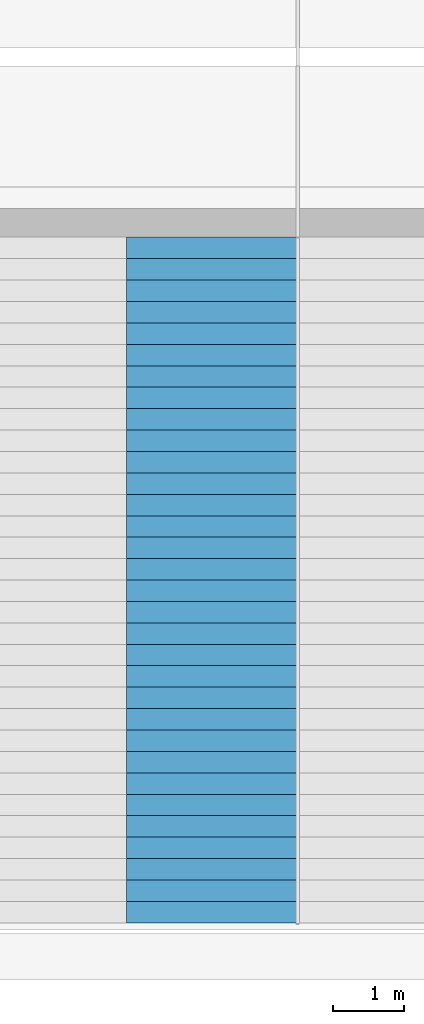
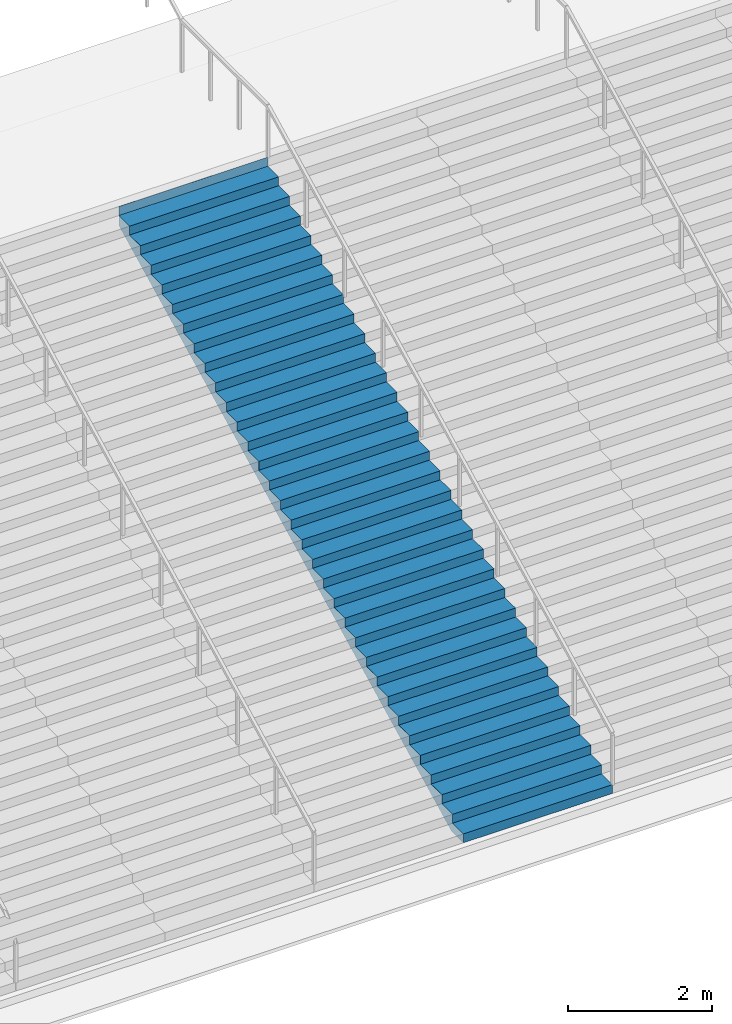
# One storey, part 34 of 57: 1 stair flight, 1 element without a shape of its own.
"""IFC4 building model written with IfcOpenShell, lengths in metres."""

import ifcopenshell
import ifcopenshell.guid

model = None  # the IFC model being written
_history = None  # IfcOwnerHistory: only IFC2X3 demands one
_inside = {}  # id of a spatial element -> (the spatial element, [elements in it])
_under = {}  # id of a project, library or spatial element -> (it, [spatial elements below it])
_declared = {}  # id of a project -> (the project, [libraries it declares])
_typed = {}  # id of a type object -> (the type object, [elements of that type])
_made_of = {}  # id of a material, layer set ... -> (it, [elements and type objects made of it])


def new_model(schema):
    """Start an empty IFC model of exactly this schema.

    Asked for "IFC4X3", IfcOpenShell would pick the latest addendum, in which some entities
    have other attributes; the version numbers below select the first issue.
    IFC2X3 requires an IfcOwnerHistory on every rooted entity: one is made here for all.
    """
    global model, _history
    if schema == "IFC4X3":
        model = ifcopenshell.file(schema_version=(4, 3, 0, 0))
    else:
        model = ifcopenshell.file(schema=schema)
    _inside.clear()
    _under.clear()
    _declared.clear()
    _typed.clear()
    _made_of.clear()
    _history = None
    if model.schema == "IFC2X3":
        org = make("IfcOrganization", Name="unknown")
        user = make(
            "IfcPersonAndOrganization",
            ThePerson=make("IfcPerson", FamilyName="unknown"),
            TheOrganization=org,
        )
        app = make(
            "IfcApplication",
            ApplicationDeveloper=org,
            Version="unknown",
            ApplicationFullName="unknown",
            ApplicationIdentifier="unknown",
        )
        _history = make(
            "IfcOwnerHistory",
            OwningUser=user,
            OwningApplication=app,
            ChangeAction="ADDED",
            CreationDate=0,
        )
    return model


def make(cls, **values):
    """One entity of the class cls with the attributes given. An attribute that is None is left unset."""
    return model.create_entity(
        cls, **{name: value for name, value in values.items() if value is not None}
    )


def rooted(cls, **values):
    """An entity with a GlobalId (a new one), such as an element, a storey or a relation."""
    return make(cls, GlobalId=ifcopenshell.guid.new(), OwnerHistory=_history, **values)


def si_unit(unit_type, name, prefix=None):
    """IfcSIUnit, for example si_unit("LENGTHUNIT", "METRE", prefix="MILLI")."""
    return make("IfcSIUnit", UnitType=unit_type, Prefix=prefix, Name=name)


def assignment(units):
    """IfcUnitAssignment: the units of a project."""
    return None if units is None else make("IfcUnitAssignment", Units=units)


def point(xyz):
    """IfcCartesianPoint."""
    return None if xyz is None else make("IfcCartesianPoint", Coordinates=xyz)


def direction(xyz):
    """IfcDirection."""
    return None if xyz is None else make("IfcDirection", DirectionRatios=xyz)


def frame(location, z_axis=None, x_axis=None):
    """IfcAxis2Placement3D, a coordinate frame: its origin and axes. An axis left out is left unset."""
    return make(
        "IfcAxis2Placement3D",
        Location=point(location),
        Axis=direction(z_axis),
        RefDirection=direction(x_axis),
    )


def origin():
    """The frame at (0, 0, 0) with its axes left unset."""
    return frame((0.0, 0.0, 0.0))


def place(relative_to, where):
    """IfcLocalPlacement: puts the frame where relative to a parent placement (None: the world)."""
    return make(
        "IfcLocalPlacement", PlacementRelTo=relative_to, RelativePlacement=where
    )


def context(
    kind, dimensions, precision=None, world=None, true_north=None, identifier=None
):
    """IfcGeometricRepresentationContext, for example the 3D "Model" context."""
    return make(
        "IfcGeometricRepresentationContext",
        ContextIdentifier=identifier,
        ContextType=kind,
        CoordinateSpaceDimension=dimensions,
        Precision=precision,
        WorldCoordinateSystem=world,
        TrueNorth=true_north,
    )


def subcontext(parent, identifier, kind, view, scale=None):
    """IfcGeometricRepresentationSubContext, for example "Body" below "Model"."""
    return make(
        "IfcGeometricRepresentationSubContext",
        ContextIdentifier=identifier,
        ContextType=kind,
        ParentContext=parent,
        TargetScale=scale,
        TargetView=view,
    )


def project(units=None, contexts=None):
    """IfcProject with its units and contexts."""
    return rooted(
        "IfcProject",
        Name="project",
        RepresentationContexts=contexts,
        UnitsInContext=assignment(units),
    )


def spatial(cls, under=None, at=None, **own):
    """A site, building, storey or space (cls), placed at a placement, below another one or the project."""
    s = rooted(cls, ObjectPlacement=at, **own)
    if under is not None:
        _under.setdefault(under.id(), (under, []))[1].append(s)
    return s


def point_list(points):
    """IfcCartesianPointList2D or 3D."""
    cls = (
        "IfcCartesianPointList2D" if len(points[0]) == 2 else "IfcCartesianPointList3D"
    )
    return make(cls, CoordList=points)


def triangles(points, corners, closed=None, point_numbers=None):
    """IfcTriangulatedFaceSet: each triangle names its three corners, points numbered from 1."""
    return make(
        "IfcTriangulatedFaceSet",
        Coordinates=point_list(points),
        Closed=closed,
        CoordIndex=corners,
        PnIndex=point_numbers,
    )


def shape(context_of_items, identifier, shape_type, items):
    """IfcShapeRepresentation: the items that make up one representation, for example the "Body"."""
    return make(
        "IfcShapeRepresentation",
        ContextOfItems=context_of_items,
        RepresentationIdentifier=identifier,
        RepresentationType=shape_type,
        Items=items,
    )


def material(Name=None, Category=None):
    """IfcMaterial."""
    return make("IfcMaterial", Name=Name, Category=Category)


def made_of(thing, what):
    """Note that an element or type object is made of a material, layer set ...; save() writes the relation."""
    if what is not None:
        _made_of.setdefault(what.id(), (what, []))[1].append(thing)
    return thing


def type_object(cls, material=None, **own):
    """A type object (cls), such as IfcWallType, which elements share."""
    return made_of(rooted(cls, **own), material)


def element(
    cls,
    number,
    at=None,
    inside=None,
    cuts=None,
    type_object=None,
    material=None,
    context=None,
    identifier="Body",
    shape_type=None,
    held_by="IfcProductDefinitionShape",
    body=None,
    shapes=None,
    **own,
):
    """One element of the class cls, such as IfcWall. Its Tag is "e" and its number.

    at: its placement. inside: the storey or other place that contains it. cuts: it is an
    opening in that element (IfcRelVoidsElement). A single representation is given by context,
    identifier, shape_type and body (its items); several are given by shapes. held_by: the class
    of the entity that holds the representations. save() writes the other relations.
    """
    e = rooted(cls, Tag="e%d" % number, ObjectPlacement=at, **own)
    if body is not None:
        shapes = [shape(context, identifier, shape_type, body)]
    if shapes is not None:
        e.Representation = make(held_by, Representations=shapes)
    if inside is not None:
        _inside.setdefault(inside.id(), (inside, []))[1].append(e)
    if cuts is not None:
        rooted(
            "IfcRelVoidsElement", RelatingBuildingElement=cuts, RelatedOpeningElement=e
        )
    if type_object is not None:
        _typed.setdefault(type_object.id(), (type_object, []))[1].append(e)
    return made_of(e, material)


def aggregate(whole, parts):
    """IfcRelAggregates: a whole, such as a stair, and the parts it consists of."""
    return rooted("IfcRelAggregates", RelatingObject=whole, RelatedObjects=parts)


def save(model, path):
    """Write the relations noted so far, then the file.

    IfcRelAggregates (storeys below a building ...), IfcRelContainedInSpatialStructure (elements
    in a storey), IfcRelDefinesByType, IfcRelAssociatesMaterial and IfcRelDeclares: one each for
    every whole, place, type object, material and project.
    """
    for whole, parts in _under.values():
        aggregate(whole, parts)
    for where, things in _inside.values():
        rooted(
            "IfcRelContainedInSpatialStructure",
            RelatedElements=things,
            RelatingStructure=where,
        )
    for kind, things in _typed.values():
        rooted("IfcRelDefinesByType", RelatedObjects=things, RelatingType=kind)
    for what, things in _made_of.values():
        rooted("IfcRelAssociatesMaterial", RelatedObjects=things, RelatingMaterial=what)
    for by, libraries in _declared.values():
        rooted("IfcRelDeclares", RelatingContext=by, RelatedDefinitions=libraries)
    model.write(path)


model = new_model("IFC4")

# Units and contexts
model_context = context("Model", 3, precision=1e-05, world=origin(), true_north=direction((0.0, 1.0)))
body_context = subcontext(model_context, "Body", "Model", "MODEL_VIEW")
ifc_project = project(units=[si_unit("LENGTHUNIT", "METRE"), si_unit("AREAUNIT", "SQUARE_METRE"), si_unit("VOLUMEUNIT", "CUBIC_METRE"), si_unit("PLANEANGLEUNIT", "RADIAN"), si_unit("MASSUNIT", "GRAM", prefix="KILO")], contexts=[model_context])

# Site, building, storey
site_placement = place(None, origin())
site = spatial("IfcSite", under=ifc_project, at=site_placement, CompositionType="ELEMENT")
building_placement = place(site_placement, origin())
building = spatial("IfcBuilding", under=site, at=building_placement, Name="Beryl Residences", CompositionType="ELEMENT")
storey_placement = place(building_placement, origin())
storey = spatial("IfcBuildingStorey", under=building, at=storey_placement, Name="L00", CompositionType="ELEMENT", Elevation=0.0)

# Stair, stair flight
ifc_material_1 = material(Name="Precast concrete C40/50", Category="concrete")
stair_type = type_object("IfcStairType", Name="GS1 garden stair", PredefinedType="STRAIGHT_RUN_STAIR", material=ifc_material_1)
stair_placement = place(storey_placement, origin())
stair = element("IfcStair", 1, at=stair_placement, inside=storey, type_object=stair_type, Name="GS1 garden stair", PredefinedType="STRAIGHT_RUN_STAIR")
ifc_material_2 = material(Name="Precast concrete C40/50", Category="concrete")
stair_flight_type = type_object("IfcStairFlightType", Name="GF1 garden stair flight", PredefinedType="STRAIGHT", material=ifc_material_2)
stair_flight_placement = place(storey_placement, frame((-1.199951171875, -54.199951171875, 0.0), z_axis=(0.0, 0.0, 1.0), x_axis=(0.0, 1.0, 0.0)))
stair_flight = element("IfcStairFlight", 2, at=stair_flight_placement, type_object=stair_flight_type, Name="GS1 flight 5", NumberOfRisers=33, NumberOfTreads=32, PredefinedType="STRAIGHT", RiserHeight=0.151515152, TreadLength=0.3, context=body_context, shape_type="Tessellation", body=[
    triangles([(0.0, -1.199951171875, 0.0), (0.0, -0.60009765625, 0.0), (0.0, 0.0, 0.0), (0.0, 0.60009765625, 0.0), (0.0, 1.199951171875, 0.0), (0.0, -1.199951171875, 0.151611328125), (0.0, -0.60009765625, 0.151611328125), (0.0, 0.0, 0.151611328125), (0.0, 0.60009765625, 0.151611328125), (0.0, 1.199951171875, 0.151611328125), (0.300048828125, -1.199951171875, 0.151611328125), (0.300048828125, -0.60009765625, 0.151611328125), (0.300048828125, 0.0, 0.151611328125), (0.300048828125, 0.60009765625, 0.151611328125), (0.300048828125, 1.199951171875, 0.151611328125), (0.300048828125, -1.199951171875, 0.302978515625), (0.300048828125, -0.60009765625, 0.302978515625), (0.300048828125, 0.0, 0.302978515625), (0.300048828125, 0.60009765625, 0.302978515625), (0.300048828125, 1.199951171875, 0.302978515625), (0.60009765625, -1.199951171875, 0.302978515625), (0.60009765625, -0.60009765625, 0.302978515625), (0.60009765625, 0.0, 0.302978515625), (0.60009765625, 0.60009765625, 0.302978515625), (0.60009765625, 1.199951171875, 0.302978515625), (0.60009765625, -1.199951171875, 0.45458984375), (0.60009765625, -0.60009765625, 0.45458984375), (0.60009765625, 0.0, 0.45458984375), (0.60009765625, 0.60009765625, 0.45458984375), (0.60009765625, 1.199951171875, 0.45458984375), (0.89990234375, -1.199951171875, 0.45458984375), (0.89990234375, -0.60009765625, 0.45458984375), (0.89990234375, 0.0, 0.45458984375), (0.89990234375, 0.60009765625, 0.45458984375), (0.89990234375, 1.199951171875, 0.45458984375), (0.89990234375, -1.199951171875, 0.60595703125), (0.89990234375, -0.60009765625, 0.60595703125), (0.89990234375, 0.0, 0.60595703125), (0.89990234375, 0.60009765625, 0.60595703125), (0.89990234375, 1.199951171875, 0.60595703125), (1.199951171875, -1.199951171875, 0.60595703125), (1.199951171875, -0.60009765625, 0.60595703125), (1.199951171875, 0.0, 0.60595703125), (1.199951171875, 0.60009765625, 0.60595703125), (1.199951171875, 1.199951171875, 0.60595703125), (1.199951171875, -1.199951171875, 0.757568359375), (1.199951171875, -0.60009765625, 0.757568359375), (1.199951171875, 0.0, 0.757568359375), (1.199951171875, 0.60009765625, 0.757568359375), (1.199951171875, 1.199951171875, 0.757568359375), (1.5, -1.199951171875, 0.757568359375), (1.5, -0.60009765625, 0.757568359375), (1.5, 0.0, 0.757568359375), (1.5, 0.60009765625, 0.757568359375), (1.5, 1.199951171875, 0.757568359375), (1.5, -1.199951171875, 0.9091796875), (1.5, -0.60009765625, 0.9091796875), (1.5, 0.0, 0.9091796875), (1.5, 0.60009765625, 0.9091796875), (1.5, 1.199951171875, 0.9091796875), (1.800048828125, -1.199951171875, 0.9091796875), (1.800048828125, -0.60009765625, 0.9091796875), (1.800048828125, 0.0, 0.9091796875), (1.800048828125, 0.60009765625, 0.9091796875), (1.800048828125, 1.199951171875, 0.9091796875), (1.800048828125, -1.199951171875, 1.060546875), (1.800048828125, -0.60009765625, 1.060546875), (1.800048828125, 0.0, 1.060546875), (1.800048828125, 0.60009765625, 1.060546875), (1.800048828125, 1.199951171875, 1.060546875), (2.10009765625, -1.199951171875, 1.060546875), (2.10009765625, -0.60009765625, 1.060546875), (2.10009765625, 0.0, 1.060546875), (2.10009765625, 0.60009765625, 1.060546875), (2.10009765625, 1.199951171875, 1.060546875), (2.10009765625, -1.199951171875, 1.212158203125), (2.10009765625, -0.60009765625, 1.212158203125), (2.10009765625, 0.0, 1.212158203125), (2.10009765625, 0.60009765625, 1.212158203125), (2.10009765625, 1.199951171875, 1.212158203125), (2.39990234375, -1.199951171875, 1.212158203125), (2.39990234375, -0.60009765625, 1.212158203125), (2.39990234375, 0.0, 1.212158203125), (2.39990234375, 0.60009765625, 1.212158203125), (2.39990234375, 1.199951171875, 1.212158203125), (2.39990234375, -1.199951171875, 1.363525390625), (2.39990234375, -0.60009765625, 1.363525390625), (2.39990234375, 0.0, 1.363525390625), (2.39990234375, 0.60009765625, 1.363525390625), (2.39990234375, 1.199951171875, 1.363525390625), (2.699951171875, -1.199951171875, 1.363525390625), (2.699951171875, -0.60009765625, 1.363525390625), (2.699951171875, 0.0, 1.363525390625), (2.699951171875, 0.60009765625, 1.363525390625), (2.699951171875, 1.199951171875, 1.363525390625), (2.699951171875, -1.199951171875, 1.51513671875), (2.699951171875, -0.60009765625, 1.51513671875), (2.699951171875, 0.0, 1.51513671875), (2.699951171875, 0.60009765625, 1.51513671875), (2.699951171875, 1.199951171875, 1.51513671875), (3.0, -1.199951171875, 1.51513671875), (3.0, -0.60009765625, 1.51513671875), (3.0, 0.0, 1.51513671875), (3.0, 0.60009765625, 1.51513671875), (3.0, 1.199951171875, 1.51513671875), (3.0, -1.199951171875, 1.666748046875), (3.0, -0.60009765625, 1.666748046875), (3.0, 0.0, 1.666748046875), (3.0, 0.60009765625, 1.666748046875), (3.0, 1.199951171875, 1.666748046875), (3.300048828125, -1.199951171875, 1.666748046875), (3.300048828125, -0.60009765625, 1.666748046875), (3.300048828125, 0.0, 1.666748046875), (3.300048828125, 0.60009765625, 1.666748046875), (3.300048828125, 1.199951171875, 1.666748046875), (3.300048828125, -1.199951171875, 1.818115234375), (3.300048828125, -0.60009765625, 1.818115234375), (3.300048828125, 0.0, 1.818115234375), (3.300048828125, 0.60009765625, 1.818115234375), (3.300048828125, 1.199951171875, 1.818115234375), (3.60009765625, -1.199951171875, 1.818115234375), (3.60009765625, -0.60009765625, 1.818115234375), (3.60009765625, 0.0, 1.818115234375), (3.60009765625, 0.60009765625, 1.818115234375), (3.60009765625, 1.199951171875, 1.818115234375), (3.60009765625, -1.199951171875, 1.9697265625), (3.60009765625, -0.60009765625, 1.9697265625), (3.60009765625, 0.0, 1.9697265625), (3.60009765625, 0.60009765625, 1.9697265625), (3.60009765625, 1.199951171875, 1.9697265625), (3.89990234375, -1.199951171875, 1.9697265625), (3.89990234375, -0.60009765625, 1.9697265625), (3.89990234375, 0.0, 1.9697265625), (3.89990234375, 0.60009765625, 1.9697265625), (3.89990234375, 1.199951171875, 1.9697265625), (3.89990234375, -1.199951171875, 2.12109375), (3.89990234375, -0.60009765625, 2.12109375), (3.89990234375, 0.0, 2.12109375), (3.89990234375, 0.60009765625, 2.12109375), (3.89990234375, 1.199951171875, 2.12109375), (4.199951171875, -1.199951171875, 2.12109375), (4.199951171875, -0.60009765625, 2.12109375), (4.199951171875, 0.0, 2.12109375), (4.199951171875, 0.60009765625, 2.12109375), (4.199951171875, 1.199951171875, 2.12109375), (4.199951171875, -1.199951171875, 2.272705078125), (4.199951171875, -0.60009765625, 2.272705078125), (4.199951171875, 0.0, 2.272705078125), (4.199951171875, 0.60009765625, 2.272705078125), (4.199951171875, 1.199951171875, 2.272705078125), (4.5, -1.199951171875, 2.272705078125), (4.5, -0.60009765625, 2.272705078125), (4.5, 0.0, 2.272705078125), (4.5, 0.60009765625, 2.272705078125), (4.5, 1.199951171875, 2.272705078125), (4.5, -1.199951171875, 2.42431640625), (4.5, -0.60009765625, 2.42431640625), (4.5, 0.0, 2.42431640625), (4.5, 0.60009765625, 2.42431640625), (4.5, 1.199951171875, 2.42431640625), (4.800048828125, -1.199951171875, 2.42431640625), (4.800048828125, -0.60009765625, 2.42431640625), (4.800048828125, 0.0, 2.42431640625), (4.800048828125, 0.60009765625, 2.42431640625), (4.800048828125, 1.199951171875, 2.42431640625), (4.800048828125, -1.199951171875, 2.57568359375), (4.800048828125, -0.60009765625, 2.57568359375), (4.800048828125, 0.0, 2.57568359375), (4.800048828125, 0.60009765625, 2.57568359375), (4.800048828125, 1.199951171875, 2.57568359375), (5.10009765625, -1.199951171875, 2.57568359375), (5.10009765625, -0.60009765625, 2.57568359375), (5.10009765625, 0.0, 2.57568359375), (5.10009765625, 0.60009765625, 2.57568359375), (5.10009765625, 1.199951171875, 2.57568359375), (5.10009765625, -1.199951171875, 2.727294921875), (5.10009765625, -0.60009765625, 2.727294921875), (5.10009765625, 0.0, 2.727294921875), (5.10009765625, 0.60009765625, 2.727294921875), (5.10009765625, 1.199951171875, 2.727294921875), (5.39990234375, -1.199951171875, 2.727294921875), (5.39990234375, -0.60009765625, 2.727294921875), (5.39990234375, 0.0, 2.727294921875), (5.39990234375, 0.60009765625, 2.727294921875), (5.39990234375, 1.199951171875, 2.727294921875), (5.39990234375, -1.199951171875, 2.87890625), (5.39990234375, -0.60009765625, 2.87890625), (5.39990234375, 0.0, 2.87890625), (5.39990234375, 0.60009765625, 2.87890625), (5.39990234375, 1.199951171875, 2.87890625), (5.699951171875, -1.199951171875, 2.87890625), (5.699951171875, -0.60009765625, 2.87890625), (5.699951171875, 0.0, 2.87890625), (5.699951171875, 0.60009765625, 2.87890625), (5.699951171875, 1.199951171875, 2.87890625), (5.699951171875, -1.199951171875, 3.0302734375), (5.699951171875, -0.60009765625, 3.0302734375), (5.699951171875, 0.0, 3.0302734375), (5.699951171875, 0.60009765625, 3.0302734375), (5.699951171875, 1.199951171875, 3.0302734375), (6.0, -1.199951171875, 3.0302734375), (6.0, -0.60009765625, 3.0302734375), (6.0, 0.0, 3.0302734375), (6.0, 0.60009765625, 3.0302734375), (6.0, 1.199951171875, 3.0302734375), (6.0, -1.199951171875, 3.181884765625), (6.0, -0.60009765625, 3.181884765625), (6.0, 0.0, 3.181884765625), (6.0, 0.60009765625, 3.181884765625), (6.0, 1.199951171875, 3.181884765625), (6.300048828125, -1.199951171875, 3.181884765625), (6.300048828125, -0.60009765625, 3.181884765625), (6.300048828125, 0.0, 3.181884765625), (6.300048828125, 0.60009765625, 3.181884765625), (6.300048828125, 1.199951171875, 3.181884765625), (6.300048828125, -1.199951171875, 3.333251953125), (6.300048828125, -0.60009765625, 3.333251953125), (6.300048828125, 0.0, 3.333251953125), (6.300048828125, 0.60009765625, 3.333251953125), (6.300048828125, 1.199951171875, 3.333251953125), (6.60009765625, -1.199951171875, 3.333251953125), (6.60009765625, -0.60009765625, 3.333251953125), (6.60009765625, 0.0, 3.333251953125), (6.60009765625, 0.60009765625, 3.333251953125), (6.60009765625, 1.199951171875, 3.333251953125), (6.60009765625, -1.199951171875, 3.48486328125), (6.60009765625, -0.60009765625, 3.48486328125), (6.60009765625, 0.0, 3.48486328125), (6.60009765625, 0.60009765625, 3.48486328125), (6.60009765625, 1.199951171875, 3.48486328125), (6.89990234375, -1.199951171875, 3.48486328125), (6.89990234375, -0.60009765625, 3.48486328125), (6.89990234375, 0.0, 3.48486328125), (6.89990234375, 0.60009765625, 3.48486328125), (6.89990234375, 1.199951171875, 3.48486328125), (6.89990234375, -1.199951171875, 3.636474609375), (6.89990234375, -0.60009765625, 3.636474609375), (6.89990234375, 0.0, 3.636474609375), (6.89990234375, 0.60009765625, 3.636474609375), (6.89990234375, 1.199951171875, 3.636474609375), (7.199951171875, -1.199951171875, 3.636474609375), (7.199951171875, -0.60009765625, 3.636474609375), (7.199951171875, 0.0, 3.636474609375), (7.199951171875, 0.60009765625, 3.636474609375), (7.199951171875, 1.199951171875, 3.636474609375), (7.199951171875, -1.199951171875, 3.787841796875), (7.199951171875, -0.60009765625, 3.787841796875), (7.199951171875, 0.0, 3.787841796875), (7.199951171875, 0.60009765625, 3.787841796875), (7.199951171875, 1.199951171875, 3.787841796875), (7.5, -1.199951171875, 3.787841796875), (7.5, -0.60009765625, 3.787841796875), (7.5, 0.0, 3.787841796875), (7.5, 0.60009765625, 3.787841796875), (7.5, 1.199951171875, 3.787841796875), (7.5, -1.199951171875, 3.939453125), (7.5, -0.60009765625, 3.939453125), (7.5, 0.0, 3.939453125), (7.5, 0.60009765625, 3.939453125), (7.5, 1.199951171875, 3.939453125), (7.800048828125, -1.199951171875, 3.939453125), (7.800048828125, -0.60009765625, 3.939453125), (7.800048828125, 0.0, 3.939453125), (7.800048828125, 0.60009765625, 3.939453125), (7.800048828125, 1.199951171875, 3.939453125), (7.800048828125, -1.199951171875, 4.0908203125), (7.800048828125, -0.60009765625, 4.0908203125), (7.800048828125, 0.0, 4.0908203125), (7.800048828125, 0.60009765625, 4.0908203125), (7.800048828125, 1.199951171875, 4.0908203125), (8.10009765625, -1.199951171875, 4.0908203125), (8.10009765625, -0.60009765625, 4.0908203125), (8.10009765625, 0.0, 4.0908203125), (8.10009765625, 0.60009765625, 4.0908203125), (8.10009765625, 1.199951171875, 4.0908203125), (8.10009765625, -1.199951171875, 4.242431640625), (8.10009765625, -0.60009765625, 4.242431640625), (8.10009765625, 0.0, 4.242431640625), (8.10009765625, 0.60009765625, 4.242431640625), (8.10009765625, 1.199951171875, 4.242431640625), (8.39990234375, -1.199951171875, 4.242431640625), (8.39990234375, -0.60009765625, 4.242431640625), (8.39990234375, 0.0, 4.242431640625), (8.39990234375, 0.60009765625, 4.242431640625), (8.39990234375, 1.199951171875, 4.242431640625), (8.39990234375, -1.199951171875, 4.39404296875), (8.39990234375, -0.60009765625, 4.39404296875), (8.39990234375, 0.0, 4.39404296875), (8.39990234375, 0.60009765625, 4.39404296875), (8.39990234375, 1.199951171875, 4.39404296875), (8.699951171875, -1.199951171875, 4.39404296875), (8.699951171875, -0.60009765625, 4.39404296875), (8.699951171875, 0.0, 4.39404296875), (8.699951171875, 0.60009765625, 4.39404296875), (8.699951171875, 1.199951171875, 4.39404296875), (8.699951171875, -1.199951171875, 4.54541015625), (8.699951171875, -0.60009765625, 4.54541015625), (8.699951171875, 0.0, 4.54541015625), (8.699951171875, 0.60009765625, 4.54541015625), (8.699951171875, 1.199951171875, 4.54541015625), (9.0, -1.199951171875, 4.54541015625), (9.0, -0.60009765625, 4.54541015625), (9.0, 0.0, 4.54541015625), (9.0, 0.60009765625, 4.54541015625), (9.0, 1.199951171875, 4.54541015625), (9.0, -1.199951171875, 4.697021484375), (9.0, -0.60009765625, 4.697021484375), (9.0, 0.0, 4.697021484375), (9.0, 0.60009765625, 4.697021484375), (9.0, 1.199951171875, 4.697021484375), (9.300048828125, -1.199951171875, 4.697021484375), (9.300048828125, -0.60009765625, 4.697021484375), (9.300048828125, 0.0, 4.697021484375), (9.300048828125, 0.60009765625, 4.697021484375), (9.300048828125, 1.199951171875, 4.697021484375), (9.300048828125, -1.199951171875, 4.848388671875), (9.300048828125, -0.60009765625, 4.848388671875), (9.300048828125, 0.0, 4.848388671875), (9.300048828125, 0.60009765625, 4.848388671875), (9.300048828125, 1.199951171875, 4.848388671875), (9.60009765625, -1.199951171875, 4.848388671875), (9.60009765625, -0.60009765625, 4.848388671875), (9.60009765625, 0.0, 4.848388671875), (9.60009765625, 0.60009765625, 4.848388671875), (9.60009765625, 1.199951171875, 4.848388671875), (9.60009765625, -1.199951171875, 5.0), (9.60009765625, -0.60009765625, 5.0), (9.60009765625, 0.0, 5.0), (9.60009765625, 0.60009765625, 5.0), (9.60009765625, 1.199951171875, 5.0), (9.60107421875, -1.199951171875, 5.0), (9.60107421875, -0.60009765625, 5.0), (9.60107421875, 0.0, 5.0), (9.60107421875, 0.60009765625, 5.0), (9.60107421875, 1.199951171875, 5.0), (9.60107421875, -1.199951171875, 4.6806640625), (9.60107421875, -0.60009765625, 4.6806640625), (9.60107421875, 0.0, 4.6806640625), (9.60107421875, 0.60009765625, 4.6806640625), (9.60107421875, 1.199951171875, 4.6806640625), (0.33349609375, -1.199951171875, 0.0), (0.33349609375, -0.60009765625, 0.0), (0.33349609375, 0.0, 0.0), (0.33349609375, 0.60009765625, 0.0), (0.33349609375, 1.199951171875, 0.0)], [[1, 6, 7], [1, 7, 2], [2, 7, 8], [2, 8, 3], [3, 8, 9], [3, 9, 4], [4, 9, 10], [4, 10, 5], [6, 11, 12], [6, 12, 7], [7, 12, 13], [7, 13, 8], [8, 13, 14], [8, 14, 9], [9, 14, 15], [9, 15, 10], [11, 16, 17], [11, 17, 12], [12, 17, 18], [12, 18, 13], [13, 18, 19], [13, 19, 14], [14, 19, 20], [14, 20, 15], [16, 21, 22], [16, 22, 17], [17, 22, 23], [17, 23, 18], [18, 23, 24], [18, 24, 19], [19, 24, 25], [19, 25, 20], [21, 26, 27], [21, 27, 22], [22, 27, 28], [22, 28, 23], [23, 28, 29], [23, 29, 24], [24, 29, 30], [24, 30, 25], [26, 31, 32], [26, 32, 27], [27, 32, 33], [27, 33, 28], [28, 33, 34], [28, 34, 29], [29, 34, 35], [29, 35, 30], [31, 36, 37], [31, 37, 32], [32, 37, 38], [32, 38, 33], [33, 38, 39], [33, 39, 34], [34, 39, 40], [34, 40, 35], [36, 41, 42], [36, 42, 37], [37, 42, 43], [37, 43, 38], [38, 43, 44], [38, 44, 39], [39, 44, 45], [39, 45, 40], [41, 46, 47], [41, 47, 42], [42, 47, 48], [42, 48, 43], [43, 48, 49], [43, 49, 44], [44, 49, 50], [44, 50, 45], [46, 51, 52], [46, 52, 47], [47, 52, 53], [47, 53, 48], [48, 53, 54], [48, 54, 49], [49, 54, 55], [49, 55, 50], [51, 56, 57], [51, 57, 52], [52, 57, 58], [52, 58, 53], [53, 58, 59], [53, 59, 54], [54, 59, 60], [54, 60, 55], [56, 61, 62], [56, 62, 57], [57, 62, 63], [57, 63, 58], [58, 63, 64], [58, 64, 59], [59, 64, 65], [59, 65, 60], [61, 66, 67], [61, 67, 62], [62, 67, 68], [62, 68, 63], [63, 68, 69], [63, 69, 64], [64, 69, 70], [64, 70, 65], [66, 71, 72], [66, 72, 67], [67, 72, 73], [67, 73, 68], [68, 73, 74], [68, 74, 69], [69, 74, 75], [69, 75, 70], [71, 76, 77], [71, 77, 72], [72, 77, 78], [72, 78, 73], [73, 78, 79], [73, 79, 74], [74, 79, 80], [74, 80, 75], [76, 81, 82], [76, 82, 77], [77, 82, 83], [77, 83, 78], [78, 83, 84], [78, 84, 79], [79, 84, 85], [79, 85, 80], [81, 86, 87], [81, 87, 82], [82, 87, 88], [82, 88, 83], [83, 88, 89], [83, 89, 84], [84, 89, 90], [84, 90, 85], [86, 91, 92], [86, 92, 87], [87, 92, 93], [87, 93, 88], [88, 93, 94], [88, 94, 89], [89, 94, 95], [89, 95, 90], [91, 96, 97], [91, 97, 92], [92, 97, 98], [92, 98, 93], [93, 98, 99], [93, 99, 94], [94, 99, 100], [94, 100, 95], [96, 101, 102], [96, 102, 97], [97, 102, 103], [97, 103, 98], [98, 103, 104], [98, 104, 99], [99, 104, 105], [99, 105, 100], [101, 106, 107], [101, 107, 102], [102, 107, 108], [102, 108, 103], [103, 108, 109], [103, 109, 104], [104, 109, 110], [104, 110, 105], [106, 111, 112], [106, 112, 107], [107, 112, 113], [107, 113, 108], [108, 113, 114], [108, 114, 109], [109, 114, 115], [109, 115, 110], [111, 116, 117], [111, 117, 112], [112, 117, 118], [112, 118, 113], [113, 118, 119], [113, 119, 114], [114, 119, 120], [114, 120, 115], [116, 121, 122], [116, 122, 117], [117, 122, 123], [117, 123, 118], [118, 123, 124], [118, 124, 119], [119, 124, 125], [119, 125, 120], [121, 126, 127], [121, 127, 122], [122, 127, 128], [122, 128, 123], [123, 128, 129], [123, 129, 124], [124, 129, 130], [124, 130, 125], [126, 131, 132], [126, 132, 127], [127, 132, 133], [127, 133, 128], [128, 133, 134], [128, 134, 129], [129, 134, 135], [129, 135, 130], [131, 136, 137], [131, 137, 132], [132, 137, 138], [132, 138, 133], [133, 138, 139], [133, 139, 134], [134, 139, 140], [134, 140, 135], [136, 141, 142], [136, 142, 137], [137, 142, 143], [137, 143, 138], [138, 143, 144], [138, 144, 139], [139, 144, 145], [139, 145, 140], [141, 146, 147], [141, 147, 142], [142, 147, 148], [142, 148, 143], [143, 148, 149], [143, 149, 144], [144, 149, 150], [144, 150, 145], [146, 151, 152], [146, 152, 147], [147, 152, 153], [147, 153, 148], [148, 153, 154], [148, 154, 149], [149, 154, 155], [149, 155, 150], [151, 156, 157], [151, 157, 152], [152, 157, 158], [152, 158, 153], [153, 158, 159], [153, 159, 154], [154, 159, 160], [154, 160, 155], [156, 161, 162], [156, 162, 157], [157, 162, 163], [157, 163, 158], [158, 163, 164], [158, 164, 159], [159, 164, 165], [159, 165, 160], [161, 166, 167], [161, 167, 162], [162, 167, 168], [162, 168, 163], [163, 168, 169], [163, 169, 164], [164, 169, 170], [164, 170, 165], [166, 171, 172], [166, 172, 167], [167, 172, 173], [167, 173, 168], [168, 173, 174], [168, 174, 169], [169, 174, 175], [169, 175, 170], [171, 176, 177], [171, 177, 172], [172, 177, 178], [172, 178, 173], [173, 178, 179], [173, 179, 174], [174, 179, 180], [174, 180, 175], [176, 181, 182], [176, 182, 177], [177, 182, 183], [177, 183, 178], [178, 183, 184], [178, 184, 179], [179, 184, 185], [179, 185, 180], [181, 186, 187], [181, 187, 182], [182, 187, 188], [182, 188, 183], [183, 188, 189], [183, 189, 184], [184, 189, 190], [184, 190, 185], [186, 191, 192], [186, 192, 187], [187, 192, 193], [187, 193, 188], [188, 193, 194], [188, 194, 189], [189, 194, 195], [189, 195, 190], [191, 196, 197], [191, 197, 192], [192, 197, 198], [192, 198, 193], [193, 198, 199], [193, 199, 194], [194, 199, 200], [194, 200, 195], [196, 201, 202], [196, 202, 197], [197, 202, 203], [197, 203, 198], [198, 203, 204], [198, 204, 199], [199, 204, 205], [199, 205, 200], [201, 206, 207], [201, 207, 202], [202, 207, 208], [202, 208, 203], [203, 208, 209], [203, 209, 204], [204, 209, 210], [204, 210, 205], [206, 211, 212], [206, 212, 207], [207, 212, 213], [207, 213, 208], [208, 213, 214], [208, 214, 209], [209, 214, 215], [209, 215, 210], [211, 216, 217], [211, 217, 212], [212, 217, 218], [212, 218, 213], [213, 218, 219], [213, 219, 214], [214, 219, 220], [214, 220, 215], [216, 221, 222], [216, 222, 217], [217, 222, 223], [217, 223, 218], [218, 223, 224], [218, 224, 219], [219, 224, 225], [219, 225, 220], [221, 226, 227], [221, 227, 222], [222, 227, 228], [222, 228, 223], [223, 228, 229], [223, 229, 224], [224, 229, 230], [224, 230, 225], [226, 231, 232], [226, 232, 227], [227, 232, 233], [227, 233, 228], [228, 233, 234], [228, 234, 229], [229, 234, 235], [229, 235, 230], [231, 236, 237], [231, 237, 232], [232, 237, 238], [232, 238, 233], [233, 238, 239], [233, 239, 234], [234, 239, 240], [234, 240, 235], [236, 241, 242], [236, 242, 237], [237, 242, 243], [237, 243, 238], [238, 243, 244], [238, 244, 239], [239, 244, 245], [239, 245, 240], [241, 246, 247], [241, 247, 242], [242, 247, 248], [242, 248, 243], [243, 248, 249], [243, 249, 244], [244, 249, 250], [244, 250, 245], [246, 251, 252], [246, 252, 247], [247, 252, 253], [247, 253, 248], [248, 253, 254], [248, 254, 249], [249, 254, 255], [249, 255, 250], [251, 256, 257], [251, 257, 252], [252, 257, 258], [252, 258, 253], [253, 258, 259], [253, 259, 254], [254, 259, 260], [254, 260, 255], [256, 261, 262], [256, 262, 257], [257, 262, 263], [257, 263, 258], [258, 263, 264], [258, 264, 259], [259, 264, 265], [259, 265, 260], [261, 266, 267], [261, 267, 262], [262, 267, 268], [262, 268, 263], [263, 268, 269], [263, 269, 264], [264, 269, 270], [264, 270, 265], [266, 271, 272], [266, 272, 267], [267, 272, 273], [267, 273, 268], [268, 273, 274], [268, 274, 269], [269, 274, 275], [269, 275, 270], [271, 276, 277], [271, 277, 272], [272, 277, 278], [272, 278, 273], [273, 278, 279], [273, 279, 274], [274, 279, 280], [274, 280, 275], [276, 281, 282], [276, 282, 277], [277, 282, 283], [277, 283, 278], [278, 283, 284], [278, 284, 279], [279, 284, 285], [279, 285, 280], [281, 286, 287], [281, 287, 282], [282, 287, 288], [282, 288, 283], [283, 288, 289], [283, 289, 284], [284, 289, 290], [284, 290, 285], [286, 291, 292], [286, 292, 287], [287, 292, 293], [287, 293, 288], [288, 293, 294], [288, 294, 289], [289, 294, 295], [289, 295, 290], [291, 296, 297], [291, 297, 292], [292, 297, 298], [292, 298, 293], [293, 298, 299], [293, 299, 294], [294, 299, 300], [294, 300, 295], [296, 301, 302], [296, 302, 297], [297, 302, 303], [297, 303, 298], [298, 303, 304], [298, 304, 299], [299, 304, 305], [299, 305, 300], [301, 306, 307], [301, 307, 302], [302, 307, 308], [302, 308, 303], [303, 308, 309], [303, 309, 304], [304, 309, 310], [304, 310, 305], [306, 311, 312], [306, 312, 307], [307, 312, 313], [307, 313, 308], [308, 313, 314], [308, 314, 309], [309, 314, 315], [309, 315, 310], [311, 316, 317], [311, 317, 312], [312, 317, 318], [312, 318, 313], [313, 318, 319], [313, 319, 314], [314, 319, 320], [314, 320, 315], [316, 321, 322], [316, 322, 317], [317, 322, 323], [317, 323, 318], [318, 323, 324], [318, 324, 319], [319, 324, 325], [319, 325, 320], [321, 326, 327], [321, 327, 322], [322, 327, 328], [322, 328, 323], [323, 328, 329], [323, 329, 324], [324, 329, 330], [324, 330, 325], [326, 331, 332], [326, 332, 327], [327, 332, 333], [327, 333, 328], [328, 333, 334], [328, 334, 329], [329, 334, 335], [329, 335, 330], [331, 336, 337], [331, 337, 332], [332, 337, 338], [332, 338, 333], [333, 338, 339], [333, 339, 334], [334, 339, 340], [334, 340, 335], [336, 341, 342], [336, 342, 337], [337, 342, 343], [337, 343, 338], [338, 343, 344], [338, 344, 339], [339, 344, 345], [339, 345, 340], [341, 1, 2], [341, 2, 342], [342, 2, 3], [342, 3, 343], [343, 3, 4], [343, 4, 344], [344, 4, 5], [344, 5, 345], [1, 341, 336], [5, 340, 345], [336, 331, 326], [340, 330, 335], [336, 326, 321], [340, 325, 330], [336, 321, 316], [340, 320, 325], [336, 316, 311], [340, 315, 320], [336, 311, 306], [340, 310, 315], [336, 306, 301], [340, 305, 310], [301, 296, 291], [305, 295, 300], [336, 301, 291], [340, 295, 305], [291, 286, 281], [295, 285, 290], [336, 291, 281], [340, 285, 295], [281, 276, 271], [285, 275, 280], [336, 281, 271], [340, 275, 285], [271, 266, 261], [275, 265, 270], [336, 271, 261], [340, 265, 275], [261, 256, 251], [265, 255, 260], [336, 261, 251], [340, 255, 265], [251, 246, 241], [255, 245, 250], [336, 251, 241], [340, 245, 255], [241, 236, 231], [245, 235, 240], [336, 241, 231], [340, 235, 245], [231, 226, 221], [235, 225, 230], [336, 231, 221], [340, 225, 235], [221, 216, 211], [225, 215, 220], [336, 221, 211], [340, 215, 225], [211, 206, 201], [215, 205, 210], [336, 211, 201], [340, 205, 215], [201, 196, 191], [205, 195, 200], [336, 201, 191], [340, 195, 205], [191, 186, 181], [195, 185, 190], [336, 191, 181], [340, 185, 195], [181, 176, 171], [185, 175, 180], [336, 181, 171], [340, 175, 185], [171, 166, 161], [175, 165, 170], [336, 171, 161], [340, 165, 175], [161, 156, 151], [165, 155, 160], [336, 161, 151], [340, 155, 165], [151, 146, 141], [155, 145, 150], [336, 151, 141], [340, 145, 155], [141, 136, 131], [145, 135, 140], [336, 141, 131], [340, 135, 145], [131, 126, 121], [135, 125, 130], [336, 131, 121], [340, 125, 135], [121, 116, 111], [125, 115, 120], [336, 121, 111], [340, 115, 125], [111, 106, 101], [115, 105, 110], [336, 111, 101], [340, 105, 115], [101, 96, 91], [105, 95, 100], [336, 101, 91], [340, 95, 105], [91, 86, 81], [95, 85, 90], [336, 91, 81], [340, 85, 95], [81, 76, 71], [85, 75, 80], [336, 81, 71], [340, 75, 85], [71, 66, 61], [75, 65, 70], [336, 71, 61], [340, 65, 75], [61, 56, 51], [65, 55, 60], [336, 61, 51], [340, 55, 65], [51, 46, 41], [55, 45, 50], [336, 51, 41], [340, 45, 55], [41, 36, 31], [45, 35, 40], [336, 41, 31], [340, 35, 45], [31, 26, 21], [35, 25, 30], [336, 31, 21], [340, 25, 35], [1, 336, 21], [5, 25, 340], [21, 16, 11], [25, 15, 20], [1, 21, 11], [5, 15, 25], [11, 6, 1], [15, 5, 10]], closed=True),
])
aggregate(stair, [stair_flight])

save(model, "model.ifc")
